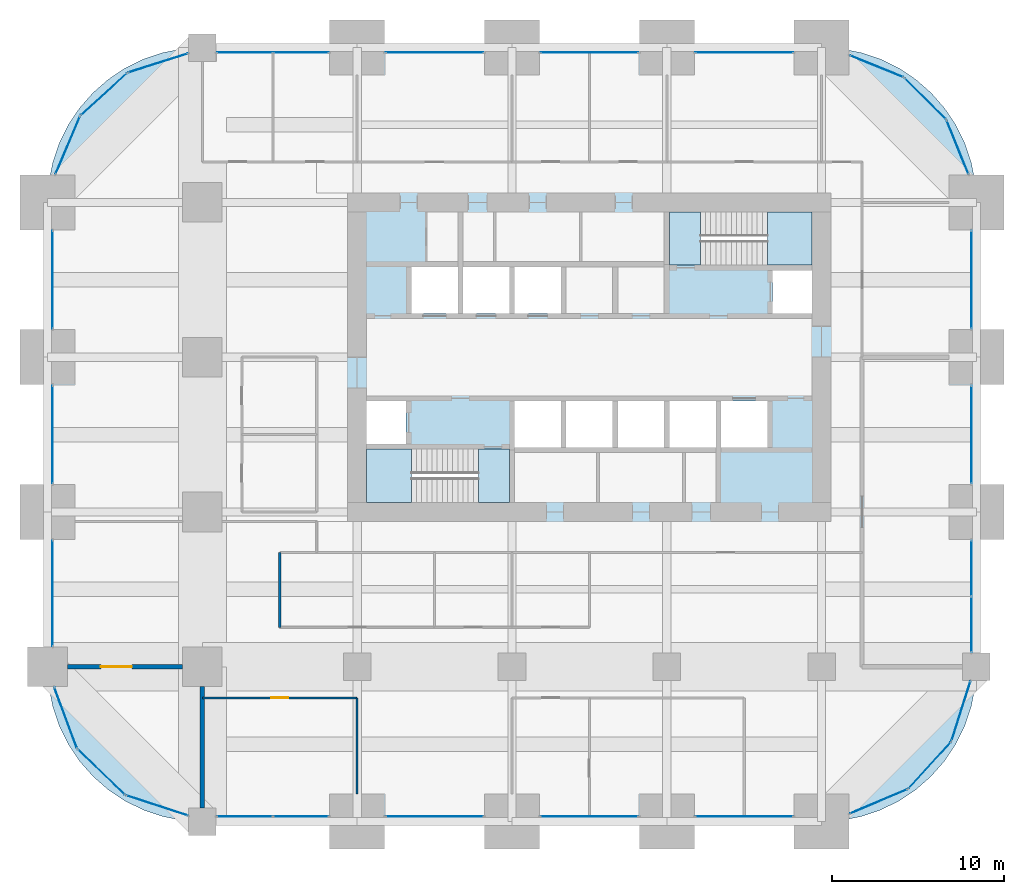
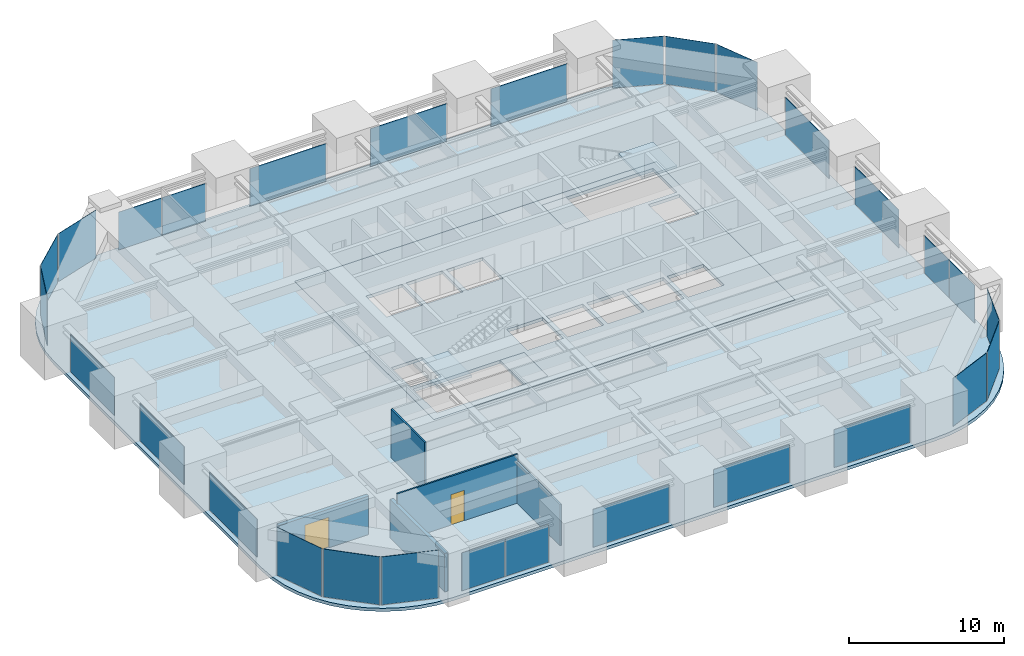
# One storey, part 35 of 39: 29 plates, 6 slabs, 5 walls, 2 doors, 2 openings, 28 elements without a shape of their own.
"""IFC4 building model written with IfcOpenShell, lengths in metres."""

from ifc_helpers import new_model, si_unit, direction, frame, frame_2d, origin, origin_2d, place, context, subcontext, project, spatial, polyline, rectangle, outline, extrude, material, layer, layer_set, type_object, element, fill, aggregate, save


model = new_model("IFC4")

# Units and contexts
model_context = context("Model", 3, precision=1e-05, world=origin(), true_north=direction((0.0, 1.0)))
body_context = subcontext(model_context, "Body", "Model", "MODEL_VIEW")
ifc_project = project(units=[si_unit("LENGTHUNIT", "METRE"), si_unit("AREAUNIT", "SQUARE_METRE"), si_unit("VOLUMEUNIT", "CUBIC_METRE"), si_unit("PLANEANGLEUNIT", "RADIAN"), si_unit("MASSUNIT", "GRAM", prefix="KILO")], contexts=[model_context])

# Site, building, storey
site_placement = place(None, origin())
site = spatial("IfcSite", under=ifc_project, at=site_placement, CompositionType="ELEMENT")
building_placement = place(site_placement, origin())
building = spatial("IfcBuilding", under=site, at=building_placement, Name="Zorevar Civic Tower", CompositionType="ELEMENT")
storey_placement = place(building_placement, frame((0.0, 0.0, 230.199951171875)))
storey = spatial("IfcBuildingStorey", under=building, at=storey_placement, Name="L56", CompositionType="ELEMENT", Elevation=230.199951171875)

# Curtain wall, plates
ifc_material_1 = material(Name="Dark grey solar-control glass in black aluminium frame", Category="aluminium")
curtain_wall_type = type_object("IfcCurtainWallType", Name="Curtain wall CW4 high zone", PredefinedType="NOTDEFINED", material=ifc_material_1)
curtain_wall_1_placement = place(storey_placement, origin())
curtain_wall_1 = element("IfcCurtainWall", 1, at=curtain_wall_1_placement, inside=storey, type_object=curtain_wall_type, Name="CW4 L56", PredefinedType="NOTDEFINED")
ifc_material_2 = material(Name="Dark grey solar-control glass", Category="glass")
ifc_layer_1 = layer(ifc_material_2, 0.028076171875)
ifc_layer_set_1 = layer_set([ifc_layer_1], Name="CW4 panel 28")
plate_type = type_object("IfcPlateType", Name="CW4 panel 28", PredefinedType="CURTAIN_PANEL", material=ifc_layer_set_1)
plate_1_placement = place(storey_placement, frame((11.465087890625, 0.300048828125, 0.06005859375), z_axis=(0.0, 0.0, 1.0), x_axis=(1.0, 0.0, 0.0)))
plate_1 = element("IfcPlate", 2, at=plate_1_placement, type_object=plate_type, Name="CW4 panel 1.1", PredefinedType="CURTAIN_PANEL", context=body_context, shape_type="SweptSolid", body=[
    extrude(rectangle(XDim=3.2099609375, YDim=0.028076171875, at=origin_2d()), origin(), (0.0, 0.0, 1.0), 2.989990234375),
])
plate_2_placement = place(storey_placement, frame((14.735107421875, 0.300048828125, 0.06005859375), z_axis=(0.0, 0.0, 1.0), x_axis=(1.0, 0.0, 0.0)))
plate_2 = element("IfcPlate", 3, at=plate_2_placement, type_object=plate_type, Name="CW4 panel 2.1", PredefinedType="CURTAIN_PANEL", context=body_context, shape_type="SweptSolid", body=[
    extrude(rectangle(XDim=3.2099609375, YDim=0.028076171875, at=origin_2d()), origin(), (0.0, 0.0, 1.0), 2.989990234375),
])
aggregate(curtain_wall_1, [plate_1, plate_2])

curtain_wall_2_placement = place(storey_placement, origin())
curtain_wall_2 = element("IfcCurtainWall", 4, at=curtain_wall_2_placement, inside=storey, type_object=curtain_wall_type, Name="CW4 L56", PredefinedType="NOTDEFINED")
plate_3_placement = place(storey_placement, frame((11.465087890625, 44.699951171875, 0.06005859375), z_axis=(0.0, 0.0, 1.0), x_axis=(1.0, 0.0, 0.0)))
plate_3 = element("IfcPlate", 5, at=plate_3_placement, type_object=plate_type, Name="CW4 panel 1.1", PredefinedType="CURTAIN_PANEL", context=body_context, shape_type="SweptSolid", body=[
    extrude(rectangle(XDim=3.2099609375, YDim=0.028076171875, at=origin_2d()), origin(), (0.0, 0.0, 1.0), 2.989990234375),
])
plate_4_placement = place(storey_placement, frame((14.735107421875, 44.699951171875, 0.06005859375), z_axis=(0.0, 0.0, 1.0), x_axis=(1.0, 0.0, 0.0)))
plate_4 = element("IfcPlate", 6, at=plate_4_placement, type_object=plate_type, Name="CW4 panel 2.1", PredefinedType="CURTAIN_PANEL", context=body_context, shape_type="SweptSolid", body=[
    extrude(rectangle(XDim=3.2099609375, YDim=0.028076171875, at=origin_2d()), origin(), (0.0, 0.0, 1.0), 2.989990234375),
])
aggregate(curtain_wall_2, [plate_3, plate_4])

# Curtain wall, plate
curtain_wall_3_placement = place(storey_placement, origin())
curtain_wall_3 = element("IfcCurtainWall", 7, at=curtain_wall_3_placement, inside=storey, type_object=curtain_wall_type, Name="CW4 L56", PredefinedType="NOTDEFINED")
plate_5_placement = place(storey_placement, frame((22.5, 0.300048828125, 0.06005859375), z_axis=(0.0, 0.0, 1.0), x_axis=(1.0, 0.0, 0.0)))
plate_5 = element("IfcPlate", 8, at=plate_5_placement, type_object=plate_type, Name="CW4 panel 1.1", PredefinedType="CURTAIN_PANEL", context=body_context, shape_type="SweptSolid", body=[
    extrude(rectangle(XDim=5.679931640625, YDim=0.028076171875, at=origin_2d()), origin(), (0.0, 0.0, 1.0), 2.989990234375),
])
aggregate(curtain_wall_3, [plate_5])

curtain_wall_4_placement = place(storey_placement, origin())
curtain_wall_4 = element("IfcCurtainWall", 9, at=curtain_wall_4_placement, inside=storey, type_object=curtain_wall_type, Name="CW4 L56", PredefinedType="NOTDEFINED")
plate_6_placement = place(storey_placement, frame((22.5, 44.699951171875, 0.06005859375), z_axis=(0.0, 0.0, 1.0), x_axis=(1.0, 0.0, 0.0)))
plate_6 = element("IfcPlate", 10, at=plate_6_placement, type_object=plate_type, Name="CW4 panel 1.1", PredefinedType="CURTAIN_PANEL", context=body_context, shape_type="SweptSolid", body=[
    extrude(rectangle(XDim=5.679931640625, YDim=0.028076171875, at=origin_2d()), origin(), (0.0, 0.0, 1.0), 2.989990234375),
])
aggregate(curtain_wall_4, [plate_6])

curtain_wall_5_placement = place(storey_placement, origin())
curtain_wall_5 = element("IfcCurtainWall", 11, at=curtain_wall_5_placement, inside=storey, type_object=curtain_wall_type, Name="CW4 L56", PredefinedType="NOTDEFINED")
plate_7_placement = place(storey_placement, frame((31.5, 0.300048828125, 0.06005859375), z_axis=(0.0, 0.0, 1.0), x_axis=(1.0, 0.0, 0.0)))
plate_7 = element("IfcPlate", 12, at=plate_7_placement, type_object=plate_type, Name="CW4 panel 1.1", PredefinedType="CURTAIN_PANEL", context=body_context, shape_type="SweptSolid", body=[
    extrude(rectangle(XDim=5.679931640625, YDim=0.028076171875, at=origin_2d()), origin(), (0.0, 0.0, 1.0), 2.989990234375),
])
aggregate(curtain_wall_5, [plate_7])

curtain_wall_6_placement = place(storey_placement, origin())
curtain_wall_6 = element("IfcCurtainWall", 13, at=curtain_wall_6_placement, inside=storey, type_object=curtain_wall_type, Name="CW4 L56", PredefinedType="NOTDEFINED")
plate_8_placement = place(storey_placement, frame((31.5, 44.699951171875, 0.06005859375), z_axis=(0.0, 0.0, 1.0), x_axis=(1.0, 0.0, 0.0)))
plate_8 = element("IfcPlate", 14, at=plate_8_placement, type_object=plate_type, Name="CW4 panel 1.1", PredefinedType="CURTAIN_PANEL", context=body_context, shape_type="SweptSolid", body=[
    extrude(rectangle(XDim=5.679931640625, YDim=0.028076171875, at=origin_2d()), origin(), (0.0, 0.0, 1.0), 2.989990234375),
])
aggregate(curtain_wall_6, [plate_8])

curtain_wall_7_placement = place(storey_placement, origin())
curtain_wall_7 = element("IfcCurtainWall", 15, at=curtain_wall_7_placement, inside=storey, type_object=curtain_wall_type, Name="CW4 L56", PredefinedType="NOTDEFINED")
plate_9_placement = place(storey_placement, frame((40.5, 0.300048828125, 0.06005859375), z_axis=(0.0, 0.0, 1.0), x_axis=(1.0, 0.0, 0.0)))
plate_9 = element("IfcPlate", 16, at=plate_9_placement, type_object=plate_type, Name="CW4 panel 1.1", PredefinedType="CURTAIN_PANEL", context=body_context, shape_type="SweptSolid", body=[
    extrude(rectangle(XDim=5.679931640625, YDim=0.028076171875, at=origin_2d()), origin(), (0.0, 0.0, 1.0), 2.989990234375),
])
aggregate(curtain_wall_7, [plate_9])

curtain_wall_8_placement = place(storey_placement, origin())
curtain_wall_8 = element("IfcCurtainWall", 17, at=curtain_wall_8_placement, inside=storey, type_object=curtain_wall_type, Name="CW4 L56", PredefinedType="NOTDEFINED")
plate_10_placement = place(storey_placement, frame((40.5, 44.699951171875, 0.06005859375), z_axis=(0.0, 0.0, 1.0), x_axis=(1.0, 0.0, 0.0)))
plate_10 = element("IfcPlate", 18, at=plate_10_placement, type_object=plate_type, Name="CW4 panel 1.1", PredefinedType="CURTAIN_PANEL", context=body_context, shape_type="SweptSolid", body=[
    extrude(rectangle(XDim=5.679931640625, YDim=0.028076171875, at=origin_2d()), origin(), (0.0, 0.0, 1.0), 2.989990234375),
])
aggregate(curtain_wall_8, [plate_10])

curtain_wall_9_placement = place(storey_placement, origin())
curtain_wall_9 = element("IfcCurtainWall", 19, at=curtain_wall_9_placement, inside=storey, type_object=curtain_wall_type, Name="CW4 L56", PredefinedType="NOTDEFINED")
plate_11_placement = place(storey_placement, frame((0.300048828125, 13.27490234375, 0.06005859375), z_axis=(0.0, 0.0, 1.0), x_axis=(0.0, 1.0, 0.0)))
plate_11 = element("IfcPlate", 20, at=plate_11_placement, type_object=plate_type, Name="CW4 panel 1.1", PredefinedType="CURTAIN_PANEL", context=body_context, shape_type="SweptSolid", body=[
    extrude(rectangle(XDim=6.1298828125, YDim=0.028076171875, at=origin_2d()), origin(), (0.0, 0.0, 1.0), 2.989990234375),
])
aggregate(curtain_wall_9, [plate_11])

# Curtain wall, plates
curtain_wall_10_placement = place(storey_placement, origin())
curtain_wall_10 = element("IfcCurtainWall", 21, at=curtain_wall_10_placement, inside=storey, type_object=curtain_wall_type, Name="CW4 L56", PredefinedType="NOTDEFINED")
plate_12_placement = place(storey_placement, frame((53.699951171875, 11.465087890625, 0.06005859375), z_axis=(0.0, 0.0, 1.0), x_axis=(0.0, 1.0, 0.0)))
plate_12 = element("IfcPlate", 22, at=plate_12_placement, type_object=plate_type, Name="CW4 panel 1.1", PredefinedType="CURTAIN_PANEL", context=body_context, shape_type="SweptSolid", body=[
    extrude(rectangle(XDim=3.2099609375, YDim=0.028076171875, at=origin_2d()), origin(), (0.0, 0.0, 1.0), 2.989990234375),
])
plate_13_placement = place(storey_placement, frame((53.699951171875, 14.735107421875, 0.06005859375), z_axis=(0.0, 0.0, 1.0), x_axis=(0.0, 1.0, 0.0)))
plate_13 = element("IfcPlate", 23, at=plate_13_placement, type_object=plate_type, Name="CW4 panel 2.1", PredefinedType="CURTAIN_PANEL", context=body_context, shape_type="SweptSolid", body=[
    extrude(rectangle(XDim=3.2099609375, YDim=0.028076171875, at=origin_2d()), origin(), (0.0, 0.0, 1.0), 2.989990234375),
])
aggregate(curtain_wall_10, [plate_12, plate_13])

# Curtain wall, plate
curtain_wall_11_placement = place(storey_placement, origin())
curtain_wall_11 = element("IfcCurtainWall", 24, at=curtain_wall_11_placement, inside=storey, type_object=curtain_wall_type, Name="CW4 L56", PredefinedType="NOTDEFINED")
plate_14_placement = place(storey_placement, frame((0.300048828125, 22.5, 0.06005859375), z_axis=(0.0, 0.0, 1.0), x_axis=(0.0, 1.0, 0.0)))
plate_14 = element("IfcPlate", 25, at=plate_14_placement, type_object=plate_type, Name="CW4 panel 1.1", PredefinedType="CURTAIN_PANEL", context=body_context, shape_type="SweptSolid", body=[
    extrude(rectangle(XDim=5.679931640625, YDim=0.028076171875, at=origin_2d()), origin(), (0.0, 0.0, 1.0), 2.989990234375),
])
aggregate(curtain_wall_11, [plate_14])

curtain_wall_12_placement = place(storey_placement, origin())
curtain_wall_12 = element("IfcCurtainWall", 26, at=curtain_wall_12_placement, inside=storey, type_object=curtain_wall_type, Name="CW4 L56", PredefinedType="NOTDEFINED")
plate_15_placement = place(storey_placement, frame((53.699951171875, 22.5, 0.06005859375), z_axis=(0.0, 0.0, 1.0), x_axis=(0.0, 1.0, 0.0)))
plate_15 = element("IfcPlate", 27, at=plate_15_placement, type_object=plate_type, Name="CW4 panel 1.1", PredefinedType="CURTAIN_PANEL", context=body_context, shape_type="SweptSolid", body=[
    extrude(rectangle(XDim=5.679931640625, YDim=0.028076171875, at=origin_2d()), origin(), (0.0, 0.0, 1.0), 2.989990234375),
])
aggregate(curtain_wall_12, [plate_15])

curtain_wall_13_placement = place(storey_placement, origin())
curtain_wall_13 = element("IfcCurtainWall", 28, at=curtain_wall_13_placement, inside=storey, type_object=curtain_wall_type, Name="CW4 L56", PredefinedType="NOTDEFINED")
plate_16_placement = place(storey_placement, frame((0.300048828125, 31.5, 0.06005859375), z_axis=(0.0, 0.0, 1.0), x_axis=(0.0, 1.0, 0.0)))
plate_16 = element("IfcPlate", 29, at=plate_16_placement, type_object=plate_type, Name="CW4 panel 1.1", PredefinedType="CURTAIN_PANEL", context=body_context, shape_type="SweptSolid", body=[
    extrude(rectangle(XDim=5.679931640625, YDim=0.028076171875, at=origin_2d()), origin(), (0.0, 0.0, 1.0), 2.989990234375),
])
aggregate(curtain_wall_13, [plate_16])

curtain_wall_14_placement = place(storey_placement, origin())
curtain_wall_14 = element("IfcCurtainWall", 30, at=curtain_wall_14_placement, inside=storey, type_object=curtain_wall_type, Name="CW4 L56", PredefinedType="NOTDEFINED")
plate_17_placement = place(storey_placement, frame((53.699951171875, 31.5, 0.06005859375), z_axis=(0.0, 0.0, 1.0), x_axis=(0.0, 1.0, 0.0)))
plate_17 = element("IfcPlate", 31, at=plate_17_placement, type_object=plate_type, Name="CW4 panel 1.1", PredefinedType="CURTAIN_PANEL", context=body_context, shape_type="SweptSolid", body=[
    extrude(rectangle(XDim=5.679931640625, YDim=0.028076171875, at=origin_2d()), origin(), (0.0, 0.0, 1.0), 2.989990234375),
])
aggregate(curtain_wall_14, [plate_17])

curtain_wall_15_placement = place(storey_placement, origin())
curtain_wall_15 = element("IfcCurtainWall", 32, at=curtain_wall_15_placement, inside=storey, type_object=curtain_wall_type, Name="CW4 L56", PredefinedType="NOTDEFINED")
plate_18_placement = place(storey_placement, frame((48.31396484375, 1.17431640625, 0.06005859375), z_axis=(0.0, 0.0, 1.0), x_axis=(0.920829589054, 0.389965213734, 0.0)))
plate_18 = element("IfcPlate", 33, at=plate_18_placement, type_object=plate_type, Name="CW4 panel 1.1", PredefinedType="CURTAIN_PANEL", context=body_context, shape_type="SweptSolid", body=[
    extrude(rectangle(XDim=3.602783203125, YDim=0.028076171875, at=origin_2d()), origin(), (0.0, 0.0, 1.0), 3.7900390625),
])
aggregate(curtain_wall_15, [plate_18])

curtain_wall_16_placement = place(storey_placement, origin())
curtain_wall_16 = element("IfcCurtainWall", 34, at=curtain_wall_16_placement, inside=storey, type_object=curtain_wall_type, Name="CW4 L56", PredefinedType="NOTDEFINED")
plate_19_placement = place(storey_placement, frame((51.28173828125, 3.276123046875, 0.06005859375), z_axis=(0.0, 0.0, 1.0), x_axis=(0.673532686252, 0.739157439623, 0.0)))
plate_19 = element("IfcPlate", 35, at=plate_19_placement, type_object=plate_type, Name="CW4 panel 1.1", PredefinedType="CURTAIN_PANEL", context=body_context, shape_type="SweptSolid", body=[
    extrude(rectangle(XDim=3.602783203125, YDim=0.028076171875, at=origin_2d()), origin(), (0.0, 0.0, 1.0), 3.7900390625),
])
aggregate(curtain_wall_16, [plate_19])

curtain_wall_17_placement = place(storey_placement, origin())
curtain_wall_17 = element("IfcCurtainWall", 36, at=curtain_wall_17_placement, inside=storey, type_object=curtain_wall_type, Name="CW4 L56", PredefinedType="NOTDEFINED")
plate_20_placement = place(storey_placement, frame((53.099365234375, 6.426025390625, 0.06005859375), z_axis=(0.0, 0.0, 1.0), x_axis=(0.302858738154, 0.953035458272, 0.0)))
plate_20 = element("IfcPlate", 37, at=plate_20_placement, type_object=plate_type, Name="CW4 panel 1.1", PredefinedType="CURTAIN_PANEL", context=body_context, shape_type="SweptSolid", body=[
    extrude(rectangle(XDim=3.602783203125, YDim=0.028076171875, at=origin_2d()), origin(), (0.0, 0.0, 1.0), 3.7900390625),
])
aggregate(curtain_wall_17, [plate_20])

curtain_wall_18_placement = place(storey_placement, origin())
curtain_wall_18 = element("IfcCurtainWall", 38, at=curtain_wall_18_placement, inside=storey, type_object=curtain_wall_type, Name="CW4 L56", PredefinedType="NOTDEFINED")
plate_21_placement = place(storey_placement, frame((52.90185546875, 39.202880859375, 0.06005859375), z_axis=(0.0, 0.0, 1.0), x_axis=(-0.375650166453, 0.926761540227, 0.0)))
plate_21 = element("IfcPlate", 39, at=plate_21_placement, type_object=plate_type, Name="CW4 panel 1.1", PredefinedType="CURTAIN_PANEL", context=body_context, shape_type="SweptSolid", body=[
    extrude(rectangle(XDim=3.33935546875, YDim=0.028076171875, at=origin_2d()), origin(), (0.0, 0.0, 1.0), 3.7900390625),
])
aggregate(curtain_wall_18, [plate_21])

curtain_wall_19_placement = place(storey_placement, origin())
curtain_wall_19 = element("IfcCurtainWall", 40, at=curtain_wall_19_placement, inside=storey, type_object=curtain_wall_type, Name="CW4 L56", PredefinedType="NOTDEFINED")
plate_22_placement = place(storey_placement, frame((51.029052734375, 42.029052734375, 0.06005859375), z_axis=(0.0, 0.0, 1.0), x_axis=(-0.707106781187, 0.707106781187, 0.0)))
plate_22 = element("IfcPlate", 41, at=plate_22_placement, type_object=plate_type, Name="CW4 panel 1.1", PredefinedType="CURTAIN_PANEL", context=body_context, shape_type="SweptSolid", body=[
    extrude(rectangle(XDim=3.33935546875, YDim=0.028076171875, at=origin_2d()), origin(), (0.0, 0.0, 1.0), 3.7900390625),
])
aggregate(curtain_wall_19, [plate_22])

curtain_wall_20_placement = place(storey_placement, origin())
curtain_wall_20 = element("IfcCurtainWall", 42, at=curtain_wall_20_placement, inside=storey, type_object=curtain_wall_type, Name="CW4 L56", PredefinedType="NOTDEFINED")
plate_23_placement = place(storey_placement, frame((48.202880859375, 43.90185546875, 0.06005859375), z_axis=(0.0, 0.0, 1.0), x_axis=(-0.926761540227, 0.375650166453, 0.0)))
plate_23 = element("IfcPlate", 43, at=plate_23_placement, type_object=plate_type, Name="CW4 panel 1.1", PredefinedType="CURTAIN_PANEL", context=body_context, shape_type="SweptSolid", body=[
    extrude(rectangle(XDim=3.33935546875, YDim=0.028076171875, at=origin_2d()), origin(), (0.0, 0.0, 1.0), 3.7900390625),
])
aggregate(curtain_wall_20, [plate_23])

curtain_wall_21_placement = place(storey_placement, origin())
curtain_wall_21 = element("IfcCurtainWall", 44, at=curtain_wall_21_placement, inside=storey, type_object=curtain_wall_type, Name="CW4 L56", PredefinedType="NOTDEFINED")
plate_24_placement = place(storey_placement, frame((6.426025390625, 44.099365234375, 0.06005859375), z_axis=(0.0, 0.0, 1.0), x_axis=(-0.953035458272, -0.302858738154, 0.0)))
plate_24 = element("IfcPlate", 45, at=plate_24_placement, type_object=plate_type, Name="CW4 panel 1.1", PredefinedType="CURTAIN_PANEL", context=body_context, shape_type="SweptSolid", body=[
    extrude(rectangle(XDim=3.602783203125, YDim=0.028076171875, at=origin_2d()), origin(), (0.0, 0.0, 1.0), 3.7900390625),
])
aggregate(curtain_wall_21, [plate_24])

curtain_wall_22_placement = place(storey_placement, origin())
curtain_wall_22 = element("IfcCurtainWall", 46, at=curtain_wall_22_placement, inside=storey, type_object=curtain_wall_type, Name="CW4 L56", PredefinedType="NOTDEFINED")
plate_25_placement = place(storey_placement, frame((3.276123046875, 42.28173828125, 0.06005859375), z_axis=(0.0, 0.0, 1.0), x_axis=(-0.739157439623, -0.673532686252, 0.0)))
plate_25 = element("IfcPlate", 47, at=plate_25_placement, type_object=plate_type, Name="CW4 panel 1.1", PredefinedType="CURTAIN_PANEL", context=body_context, shape_type="SweptSolid", body=[
    extrude(rectangle(XDim=3.602783203125, YDim=0.028076171875, at=origin_2d()), origin(), (0.0, 0.0, 1.0), 3.7900390625),
])
aggregate(curtain_wall_22, [plate_25])

curtain_wall_23_placement = place(storey_placement, origin())
curtain_wall_23 = element("IfcCurtainWall", 48, at=curtain_wall_23_placement, inside=storey, type_object=curtain_wall_type, Name="CW4 L56", PredefinedType="NOTDEFINED")
plate_26_placement = place(storey_placement, frame((1.17431640625, 39.31396484375, 0.06005859375), z_axis=(0.0, 0.0, 1.0), x_axis=(-0.389965213734, -0.920829589054, 0.0)))
plate_26 = element("IfcPlate", 49, at=plate_26_placement, type_object=plate_type, Name="CW4 panel 1.1", PredefinedType="CURTAIN_PANEL", context=body_context, shape_type="SweptSolid", body=[
    extrude(rectangle(XDim=3.602783203125, YDim=0.028076171875, at=origin_2d()), origin(), (0.0, 0.0, 1.0), 3.7900390625),
])
aggregate(curtain_wall_23, [plate_26])

curtain_wall_24_placement = place(storey_placement, origin())
curtain_wall_24 = element("IfcCurtainWall", 50, at=curtain_wall_24_placement, inside=storey, type_object=curtain_wall_type, Name="CW4 L56", PredefinedType="NOTDEFINED")
plate_27_placement = place(storey_placement, frame((1.052734375, 6.036376953125, 0.06005859375), z_axis=(0.0, 0.0, 1.0), x_axis=(0.349405059046, -0.936971773701, 0.0)))
plate_27 = element("IfcPlate", 51, at=plate_27_placement, type_object=plate_type, Name="CW4 panel 1.1", PredefinedType="CURTAIN_PANEL", context=body_context, shape_type="SweptSolid", body=[
    extrude(rectangle(XDim=3.751220703125, YDim=0.028076171875, at=origin_2d()), origin(), (0.0, 0.0, 1.0), 3.7900390625),
])
aggregate(curtain_wall_24, [plate_27])

curtain_wall_25_placement = place(storey_placement, origin())
curtain_wall_25 = element("IfcCurtainWall", 52, at=curtain_wall_25_placement, inside=storey, type_object=curtain_wall_type, Name="CW4 L56", PredefinedType="NOTDEFINED")
plate_28_placement = place(storey_placement, frame((3.125, 2.882080078125, 0.06005859375), z_axis=(0.0, 0.0, 1.0), x_axis=(0.721263453553, -0.69266083372, 0.0)))
plate_28 = element("IfcPlate", 53, at=plate_28_placement, type_object=plate_type, Name="CW4 panel 1.1", PredefinedType="CURTAIN_PANEL", context=body_context, shape_type="SweptSolid", body=[
    extrude(rectangle(XDim=3.751220703125, YDim=0.028076171875, at=origin_2d()), origin(), (0.0, 0.0, 1.0), 3.7900390625),
])
aggregate(curtain_wall_25, [plate_28])

curtain_wall_26_placement = place(storey_placement, origin())
curtain_wall_26 = element("IfcCurtainWall", 54, at=curtain_wall_26_placement, inside=storey, type_object=curtain_wall_type, Name="CW4 L56", PredefinedType="NOTDEFINED")
plate_29_placement = place(storey_placement, frame((6.360595703125, 0.939208984375, 0.06005859375), z_axis=(0.0, 0.0, 1.0), x_axis=(0.9503544928, -0.311169307637, 0.0)))
plate_29 = element("IfcPlate", 55, at=plate_29_placement, type_object=plate_type, Name="CW4 panel 1.1", PredefinedType="CURTAIN_PANEL", context=body_context, shape_type="SweptSolid", body=[
    extrude(rectangle(XDim=3.751220703125, YDim=0.028076171875, at=origin_2d()), origin(), (0.0, 0.0, 1.0), 3.7900390625),
])
aggregate(curtain_wall_26, [plate_29])

# Slabs
ifc_material_3 = material(Name="Concrete C40/50", Category="concrete")
ifc_layer_2 = layer(ifc_material_3, 0.25)
ifc_layer_set_2 = layer_set([ifc_layer_2], Name="Floor slab 250")
slab_type_1 = type_object("IfcSlabType", Name="Floor slab 250", PredefinedType="FLOOR", material=ifc_layer_set_2)
slab_1_placement = place(storey_placement, frame((0.0, 0.0, -0.25)))
element("IfcSlab", 56, at=slab_1_placement, inside=storey, type_object=slab_type_1, Name="Floor slab L56", PredefinedType="FLOOR", context=body_context, shape_type="SweptSolid", body=[
    extrude(outline(polyline([(45.0, 0.0), (46.1748046875, 0.076904296875), (47.329345703125, 0.306640625), (48.444091796875, 0.68505859375), (49.5, 1.205810546875), (50.478759765625, 1.85986328125), (51.364013671875, 2.635986328125), (52.14013671875, 3.521240234375), (52.794189453125, 4.5), (53.31494140625, 5.555908203125), (53.693359375, 6.670654296875), (53.923095703125, 7.8251953125), (54.0, 9.0), (54.0, 36.0), (53.923095703125, 37.1748046875), (53.693359375, 38.329345703125), (53.31494140625, 39.444091796875), (52.794189453125, 40.5), (52.14013671875, 41.478759765625), (51.364013671875, 42.364013671875), (50.478759765625, 43.14013671875), (49.5, 43.794189453125), (48.444091796875, 44.31494140625), (47.329345703125, 44.693359375), (46.1748046875, 44.923095703125), (45.0, 45.0), (9.0, 45.0), (7.8251953125, 44.923095703125), (6.670654296875, 44.693359375), (5.555908203125, 44.31494140625), (4.5, 43.794189453125), (3.521240234375, 43.14013671875), (2.635986328125, 42.364013671875), (1.85986328125, 41.478759765625), (1.205810546875, 40.5), (0.68505859375, 39.444091796875), (0.306640625, 38.329345703125), (0.076904296875, 37.1748046875), (0.0, 36.0), (0.0, 9.0), (0.076904296875, 7.8251953125), (0.306640625, 6.670654296875), (0.68505859375, 5.555908203125), (1.205810546875, 4.5), (1.85986328125, 3.521240234375), (2.635986328125, 2.635986328125), (3.521240234375, 1.85986328125), (4.5, 1.205810546875), (5.555908203125, 0.68505859375), (6.670654296875, 0.306640625), (7.8251953125, 0.076904296875), (9.0, 0.0), (45.0, 0.0)]), holes=[polyline([(18.0, 18.0), (45.0, 18.0), (45.0, 36.0), (18.0, 36.0), (18.0, 18.0)])]), origin(), (0.0, 0.0, 1.0), 0.25),
])
slab_2_placement = place(storey_placement, frame((0.0, 0.0, -0.25)))
element("IfcSlab", 57, at=slab_2_placement, inside=storey, type_object=slab_type_1, Name="Core floor L56", PredefinedType="FLOOR", context=body_context, shape_type="SweptSolid", body=[
    extrude(outline(polyline([(18.0, 18.0), (45.0, 18.0), (45.0, 36.0), (18.0, 36.0), (18.0, 18.0)]), holes=[polyline([(18.550048828125, 18.550048828125), (26.85009765625, 18.550048828125), (26.85009765625, 21.64990234375), (18.550048828125, 21.64990234375), (18.550048828125, 18.550048828125)]), polyline([(36.14990234375, 32.35009765625), (44.449951171875, 32.35009765625), (44.449951171875, 35.449951171875), (36.14990234375, 35.449951171875), (36.14990234375, 32.35009765625)]), polyline([(18.550048828125, 21.949951171875), (20.85009765625, 21.949951171875), (20.85009765625, 24.449951171875), (18.550048828125, 24.449951171875), (18.550048828125, 21.949951171875)]), polyline([(42.14990234375, 29.550048828125), (44.449951171875, 29.550048828125), (44.449951171875, 32.050048828125), (42.14990234375, 32.050048828125), (42.14990234375, 29.550048828125)]), polyline([(27.14990234375, 21.75), (29.85009765625, 21.75), (29.85009765625, 24.449951171875), (27.14990234375, 24.449951171875), (27.14990234375, 21.75)]), polyline([(30.14990234375, 21.75), (32.85009765625, 21.75), (32.85009765625, 24.449951171875), (30.14990234375, 24.449951171875), (30.14990234375, 21.75)]), polyline([(33.14990234375, 21.75), (35.85009765625, 21.75), (35.85009765625, 24.449951171875), (33.14990234375, 24.449951171875), (33.14990234375, 21.75)]), polyline([(27.14990234375, 29.550048828125), (29.85009765625, 29.550048828125), (29.85009765625, 32.25), (27.14990234375, 32.25), (27.14990234375, 29.550048828125)]), polyline([(36.14990234375, 21.75), (38.85009765625, 21.75), (38.85009765625, 24.449951171875), (36.14990234375, 24.449951171875), (36.14990234375, 21.75)]), polyline([(24.14990234375, 29.550048828125), (26.85009765625, 29.550048828125), (26.85009765625, 32.25), (24.14990234375, 32.25), (24.14990234375, 29.550048828125)]), polyline([(39.14990234375, 21.75), (41.85009765625, 21.75), (41.85009765625, 24.449951171875), (39.14990234375, 24.449951171875), (39.14990234375, 21.75)]), polyline([(21.14990234375, 29.550048828125), (23.85009765625, 29.550048828125), (23.85009765625, 32.25), (21.14990234375, 32.25), (21.14990234375, 29.550048828125)])]), origin(), (0.0, 0.0, 1.0), 0.25),
])

# Stair, slabs
ifc_material_4 = material(Name="Precast concrete C40/50", Category="concrete")
stair_type = type_object("IfcStairType", Name="Stair ST 28R", PredefinedType="HALF_TURN_STAIR", material=ifc_material_4)
stair_1_placement = place(storey_placement, origin())
stair_1 = element("IfcStair", 58, at=stair_1_placement, inside=storey, type_object=stair_type, Name="Stair ST1 L56", PredefinedType="HALF_TURN_STAIR")
ifc_material_5 = material(Name="Concrete C40/50", Category="concrete")
ifc_layer_3 = layer(ifc_material_5, 0.199951171875)
ifc_layer_set_3 = layer_set([ifc_layer_3], Name="Stair landing 200")
slab_type_2 = type_object("IfcSlabType", Name="Stair landing 200", PredefinedType="LANDING", material=ifc_layer_set_3)
slab_3_placement = place(storey_placement, frame((0.0, 0.0, -0.199951171875)))
slab_3 = element("IfcSlab", 59, at=slab_3_placement, type_object=slab_type_2, Name="ST1 landing 1", PredefinedType="LANDING", context=body_context, shape_type="SweptSolid", body=[
    extrude(outline(polyline([(25.050048828125, 18.550048828125), (26.85009765625, 18.550048828125), (26.85009765625, 21.64990234375), (25.050048828125, 21.64990234375), (25.050048828125, 18.550048828125)])), origin(), (0.0, 0.0, 1.0), 0.199951171875),
])
slab_4_placement = place(storey_placement, frame((0.0, 0.0, 1.900146484375)))
slab_4 = element("IfcSlab", 60, at=slab_4_placement, type_object=slab_type_2, Name="ST1 landing 2", PredefinedType="LANDING", context=body_context, shape_type="SweptSolid", body=[
    extrude(outline(polyline([(18.550048828125, 18.550048828125), (21.14990234375, 18.550048828125), (21.14990234375, 21.64990234375), (18.550048828125, 21.64990234375), (18.550048828125, 18.550048828125)])), origin(), (0.0, 0.0, 1.0), 0.199951171875),
])
aggregate(stair_1, [slab_3, slab_4])

stair_2_placement = place(storey_placement, origin())
stair_2 = element("IfcStair", 61, at=stair_2_placement, inside=storey, type_object=stair_type, Name="Stair ST2 L56", PredefinedType="HALF_TURN_STAIR")
slab_5_placement = place(storey_placement, frame((0.0, 0.0, -0.199951171875)))
slab_5 = element("IfcSlab", 62, at=slab_5_placement, type_object=slab_type_2, Name="ST2 landing 1", PredefinedType="LANDING", context=body_context, shape_type="SweptSolid", body=[
    extrude(outline(polyline([(37.949951171875, 32.35009765625), (36.14990234375, 32.35009765625), (36.14990234375, 35.449951171875), (37.949951171875, 35.449951171875), (37.949951171875, 32.35009765625)])), origin(), (0.0, 0.0, 1.0), 0.199951171875),
])
slab_6_placement = place(storey_placement, frame((0.0, 0.0, 1.900146484375)))
slab_6 = element("IfcSlab", 63, at=slab_6_placement, type_object=slab_type_2, Name="ST2 landing 2", PredefinedType="LANDING", context=body_context, shape_type="SweptSolid", body=[
    extrude(outline(polyline([(44.449951171875, 32.35009765625), (41.85009765625, 32.35009765625), (41.85009765625, 35.449951171875), (44.449951171875, 35.449951171875), (44.449951171875, 32.35009765625)])), origin(), (0.0, 0.0, 1.0), 0.199951171875),
])
aggregate(stair_2, [slab_5, slab_6])

# Wall, opening, door
ifc_material_6 = material(Name="Twin-stud acoustic wall, gypsum board")
ifc_layer_4 = layer(ifc_material_6, 0.25)
ifc_layer_set_4 = layer_set([ifc_layer_4], Name="Acoustic wall 250")
wall_type_1 = type_object("IfcWallType", Name="Acoustic wall 250", PredefinedType="PARTITIONING", material=ifc_layer_set_4)
wall_1_placement = place(storey_placement, frame((1.14990234375, 9.0, 0.0), z_axis=(0.0, 0.0, 1.0), x_axis=(1.0, 0.0, 0.0)))
wall_1 = element("IfcWall", 64, at=wall_1_placement, inside=storey, type_object=wall_type_1, Name="Acoustic wall 250 L56", PredefinedType="PARTITIONING", context=body_context, shape_type="SweptSolid", body=[
    extrude(rectangle(XDim=6.7001953125, YDim=0.25, at=frame_2d((3.35009765625, 0.0))), origin(), (0.0, 0.0, 1.0), 3.050048828125),
])
opening_1_placement = place(wall_1_placement, frame((1.949951171875, 0.0, 0.0)))
opening_1 = element("IfcOpeningElement", 65, at=opening_1_placement, cuts=wall_1, Name="Opening L56.19", PredefinedType="OPENING", context=body_context, shape_type="SweptSolid", body=[
    extrude(rectangle(XDim=1.800048828125, YDim=2.39990234375, at=frame_2d((0.89990234375, 1.199951171875))), frame((0.0, 0.135009765625, 0.0), z_axis=(0.0, -1.0, 0.0), x_axis=(1.0, 0.0, 0.0)), (0.0, 0.0, 1.0), 0.27001953125),
])
ifc_material_7 = material(Name="Steel door set", Category="steel")
door_type_1 = type_object("IfcDoorType", Name="Door D2 1800x2400", OperationType="DOUBLE_DOOR_SINGLE_SWING", PredefinedType="DOOR", material=ifc_material_7)
door_1_placement = place(opening_1_placement, origin())
door_1 = element("IfcDoor", 66, at=door_1_placement, inside=storey, type_object=door_type_1, Name="Door L56 D1", OperationType="DOUBLE_DOOR_SINGLE_SWING", OverallHeight=2.39990234375, OverallWidth=1.800048828125, PredefinedType="DOOR", context=body_context, shape_type="SweptSolid", body=[
    extrude(rectangle(XDim=1.800048828125, YDim=2.39990234375, at=frame_2d((0.89990234375, 1.199951171875))), frame((0.0, 0.02490234375, 0.0), z_axis=(0.0, -1.0, 0.0), x_axis=(1.0, 0.0, 0.0)), (0.0, 0.0, 1.0), 0.050048828125),
])
fill(opening_1, door_1)

# Wall
wall_2_placement = place(storey_placement, frame((9.0, 0.800048828125, 0.0), z_axis=(0.0, 0.0, 1.0), x_axis=(0.0, 1.0, 0.0)))
element("IfcWall", 67, at=wall_2_placement, inside=storey, type_object=wall_type_1, Name="Acoustic wall 250 L56", PredefinedType="PARTITIONING", context=body_context, shape_type="SweptSolid", body=[
    extrude(rectangle(XDim=7.050048828125, YDim=0.25, at=frame_2d((3.52490234375, 0.0))), origin(), (0.0, 0.0, 1.0), 3.050048828125),
])

# Wall, opening, door
ifc_material_8 = material(Name="Gypsum board on steel studs", Category="steel")
ifc_layer_5 = layer(ifc_material_8, 0.1201171875)
ifc_layer_set_5 = layer_set([ifc_layer_5], Name="Partition 120")
wall_type_2 = type_object("IfcWallType", Name="Partition 120", PredefinedType="PARTITIONING", material=ifc_layer_set_5)
wall_3_placement = place(storey_placement, frame((9.0, 7.199951171875, 0.0), z_axis=(0.0, 0.0, 1.0), x_axis=(1.0, 0.0, 0.0)))
wall_3 = element("IfcWall", 68, at=wall_3_placement, inside=storey, type_object=wall_type_2, Name="Partition 120 L56", PredefinedType="PARTITIONING", context=body_context, shape_type="SweptSolid", body=[
    extrude(rectangle(XDim=9.0, YDim=0.1201171875, at=frame_2d((4.5, 0.0))), origin(), (0.0, 0.0, 1.0), 3.85009765625),
])
opening_2_placement = place(wall_3_placement, frame((4.0, 0.0, 0.0)))
opening_2 = element("IfcOpeningElement", 69, at=opening_2_placement, cuts=wall_3, Name="Opening L56.17", PredefinedType="OPENING", context=body_context, shape_type="SweptSolid", body=[
    extrude(rectangle(XDim=1.0, YDim=2.39990234375, at=frame_2d((0.5, 1.199951171875))), frame((0.0, 0.070068359375, 0.0), z_axis=(0.0, -1.0, 0.0), x_axis=(1.0, 0.0, 0.0)), (0.0, 0.0, 1.0), 0.14013671875),
])
ifc_material_9 = material(Name="Timber door set", Category="wood")
door_type_2 = type_object("IfcDoorType", Name="Door D1 1000x2400", OperationType="SINGLE_SWING_LEFT", PredefinedType="DOOR", material=ifc_material_9)
door_2_placement = place(opening_2_placement, origin())
door_2 = element("IfcDoor", 70, at=door_2_placement, inside=storey, type_object=door_type_2, Name="Door L56 D1", OperationType="SINGLE_SWING_RIGHT", OverallHeight=2.39990234375, OverallWidth=1.0, PredefinedType="DOOR", context=body_context, shape_type="SweptSolid", body=[
    extrude(rectangle(XDim=1.0, YDim=2.39990234375, at=frame_2d((0.5, 1.199951171875))), frame((0.0, 0.02490234375, 0.0), z_axis=(0.0, -1.0, 0.0), x_axis=(1.0, 0.0, 0.0)), (0.0, 0.0, 1.0), 0.050048828125),
])
fill(opening_2, door_2)

# Walls
wall_4_placement = place(storey_placement, frame((13.5, 11.300048828125, 0.0), z_axis=(0.0, 0.0, 1.0), x_axis=(0.0, 1.0, 0.0)))
element("IfcWall", 71, at=wall_4_placement, inside=storey, type_object=wall_type_2, Name="Partition 120 L56", PredefinedType="PARTITIONING", context=body_context, shape_type="SweptSolid", body=[
    extrude(rectangle(XDim=4.349853515625, YDim=0.1201171875, at=frame_2d((2.1748046875, 0.0))), origin(), (0.0, 0.0, 1.0), 3.85009765625),
])
wall_5_placement = place(storey_placement, frame((18.0, 1.60009765625, 0.0), z_axis=(0.0, 0.0, 1.0), x_axis=(0.0, 1.0, 0.0)))
element("IfcWall", 72, at=wall_5_placement, inside=storey, type_object=wall_type_2, Name="Partition 120 L56", PredefinedType="PARTITIONING", context=body_context, shape_type="SweptSolid", body=[
    extrude(rectangle(XDim=5.599853515625, YDim=0.1201171875, at=frame_2d((2.7998046875, 0.0))), origin(), (0.0, 0.0, 1.0), 3.25),
])

save(model, "model.ifc")
